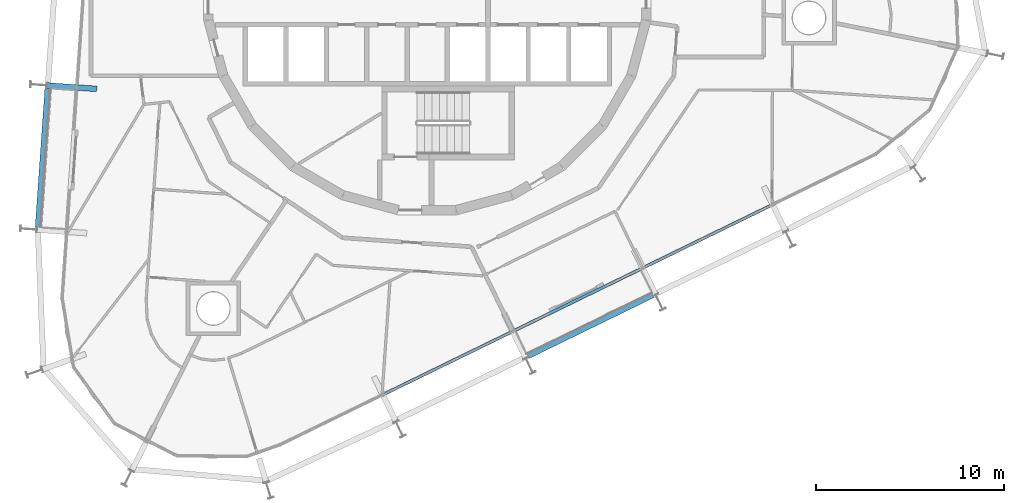
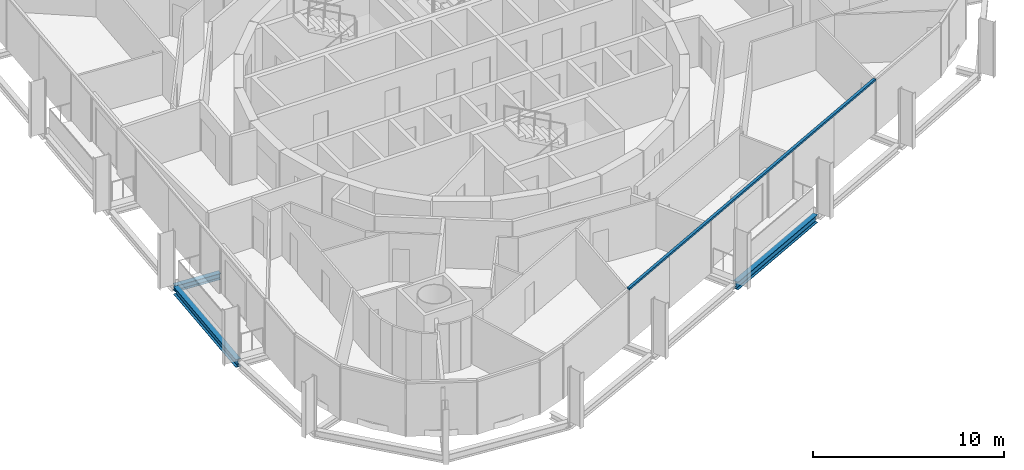
# One storey, part 3 of 17: 3 beams, 1 member, 1 element without a shape of its own.
"""IFC4 building model written with IfcOpenShell, lengths in metres."""

from ifc_helpers import new_model, si_unit, direction, frame, origin, origin_2d, place, context, subcontext, project, spatial, rectangle, i_section, extrude, material, layer, layer_set, material_profile, profile_set, type_object, element, aggregate, save


model = new_model("IFC4")

# Units and contexts
model_context = context("Model", 3, precision=1e-05, world=origin(), true_north=direction((0.0, 1.0)))
body_context = subcontext(model_context, "Body", "Model", "MODEL_VIEW")
ifc_project = project(units=[si_unit("LENGTHUNIT", "METRE"), si_unit("AREAUNIT", "SQUARE_METRE"), si_unit("VOLUMEUNIT", "CUBIC_METRE"), si_unit("PLANEANGLEUNIT", "RADIAN"), si_unit("MASSUNIT", "GRAM", prefix="KILO")], contexts=[model_context])

# Site, building, storey
site_placement = place(None, origin())
site = spatial("IfcSite", under=ifc_project, at=site_placement, CompositionType="ELEMENT")
building_placement = place(site_placement, origin())
building = spatial("IfcBuilding", under=site, at=building_placement, Name="Spindle Arch Residences", CompositionType="ELEMENT")
storey_placement = place(building_placement, frame((0.0, 0.0, 191.89990234375)))
storey = spatial("IfcBuildingStorey", under=building, at=storey_placement, Name="L48", CompositionType="ELEMENT", Elevation=191.89990234375)

# Curtain wall, member
ifc_material_1 = material(Name="Aluminium bronze unitised frame with tinted glass", Category="aluminium")
ifc_layer = layer(ifc_material_1, 0.159912109375)
ifc_layer_set = layer_set([ifc_layer], Name="CW-C typical residential unitised wall")
curtain_wall_type = type_object("IfcCurtainWallType", Name="CW-C typical residential unitised wall", PredefinedType="NOTDEFINED", material=ifc_layer_set)
curtain_wall_placement = place(storey_placement, origin())
curtain_wall = element("IfcCurtainWall", 1, at=curtain_wall_placement, inside=storey, type_object=curtain_wall_type, Name="CW-C L48 run 6", PredefinedType="NOTDEFINED")
ifc_material_2 = material(Name="Aluminium bronze anodised transom", Category="aluminium")
ifc_material_profile_1 = material_profile(ifc_material_2, rectangle(XDim=0.159912109375, YDim=0.1201171875, at=origin_2d()), Name="TR 120x160")
ifc_profile_set_1 = profile_set([ifc_material_profile_1], Name="Aluminium bronze anodised transom")
member_type = type_object("IfcMemberType", Name="Bronze transom 120x160", PredefinedType="USERDEFINED", material=ifc_profile_set_1)
member_placement = place(storey_placement, frame((-2.340576171875, -21.45849609375, 3.06005859375), z_axis=(0.898793313451, 0.438372649347, 0.0), x_axis=(-0.438372649347, 0.898793313451, 0.0)))
member = element("IfcMember", 2, at=member_placement, type_object=member_type, Name="CW-C transom 00", ObjectType="TRANSOM", PredefinedType="USERDEFINED", context=body_context, shape_type="SweptSolid", body=[
    extrude(rectangle(XDim=0.159912109375, YDim=0.1201171875, at=origin_2d()), origin(), (0.0, 0.0, 1.0), 23.02099609375),
])
aggregate(curtain_wall, [member])

# Beams
ifc_material_3 = material(Name="Steel S460ML, intumescent coating R 120", Category="steel")
ifc_material_profile_2 = material_profile(ifc_material_3, i_section(OverallWidth=0.300048828125, OverallDepth=0.5, WebThickness=0.014404296875, FlangeThickness=0.028076171875, FilletRadius=0.027099609375, at=origin_2d()), Name="HEB 500")
ifc_profile_set_2 = profile_set([ifc_material_profile_2], Name="Steel S460ML, intumescent coating R 120")
beam_type_1 = type_object("IfcBeamType", Name="Exoskeleton edge beam HEB 500", PredefinedType="BEAM", material=ifc_profile_set_2)
beam_1_placement = place(storey_placement, frame((-20.198974609375, -5.14501953125, -0.6298828125), z_axis=(-0.069725196579, -0.99756623688, 0.0), x_axis=(0.99756623688, -0.069725196579, 0.0)))
element("IfcBeam", 3, at=beam_1_placement, inside=storey, type_object=beam_type_1, Name="Exoskeleton edge beam 16", PredefinedType="BEAM", context=body_context, shape_type="SweptSolid", body=[
    extrude(i_section(OverallWidth=0.300048828125, OverallDepth=0.5, WebThickness=0.014404296875, FlangeThickness=0.028076171875, FilletRadius=0.027099609375, at=origin_2d()), origin(), (0.0, 0.0, 1.0), 7.43359375),
])
beam_2_placement = place(storey_placement, frame((5.3349609375, -19.417236328125, -0.6298828125), z_axis=(0.898791170385, 0.438377043238, 0.0), x_axis=(-0.438377043238, 0.898791170385, 0.0)))
element("IfcBeam", 4, at=beam_2_placement, inside=storey, type_object=beam_type_1, Name="Exoskeleton edge beam 22", PredefinedType="BEAM", context=body_context, shape_type="SweptSolid", body=[
    extrude(i_section(OverallWidth=0.300048828125, OverallDepth=0.5, WebThickness=0.014404296875, FlangeThickness=0.028076171875, FilletRadius=0.027099609375, at=origin_2d()), origin(), (0.0, 0.0, 1.0), 7.433837890625),
])
ifc_material_4 = material(Name="Steel S460ML, intumescent coating R 120", Category="steel")
ifc_material_profile_3 = material_profile(ifc_material_4, i_section(OverallWidth=0.300048828125, OverallDepth=0.389892578125, WebThickness=0.010986328125, FlangeThickness=0.01904296875, FilletRadius=0.027099609375, at=origin_2d()), Name="HEA 400")
ifc_profile_set_3 = profile_set([ifc_material_profile_3], Name="Steel S460ML, intumescent coating R 120")
beam_type_2 = type_object("IfcBeamType", Name="Floor outrigger HEA 400", PredefinedType="BEAM", material=ifc_profile_set_3)
beam_3_placement = place(storey_placement, frame((-20.229736328125, -5.012451171875, -0.574951171875), z_axis=(0.997565124092, -0.069741115528, 0.0), x_axis=(0.069741115528, 0.997565124092, 0.0)))
element("IfcBeam", 5, at=beam_3_placement, inside=storey, type_object=beam_type_2, Name="Floor outrigger 16", PredefinedType="BEAM", context=body_context, shape_type="SweptSolid", body=[
    extrude(i_section(OverallWidth=0.300048828125, OverallDepth=0.389892578125, WebThickness=0.010986328125, FlangeThickness=0.01904296875, FilletRadius=0.027099609375, at=origin_2d()), origin(), (0.0, 0.0, 1.0), 2.64990234375),
])

save(model, "model.ifc")
